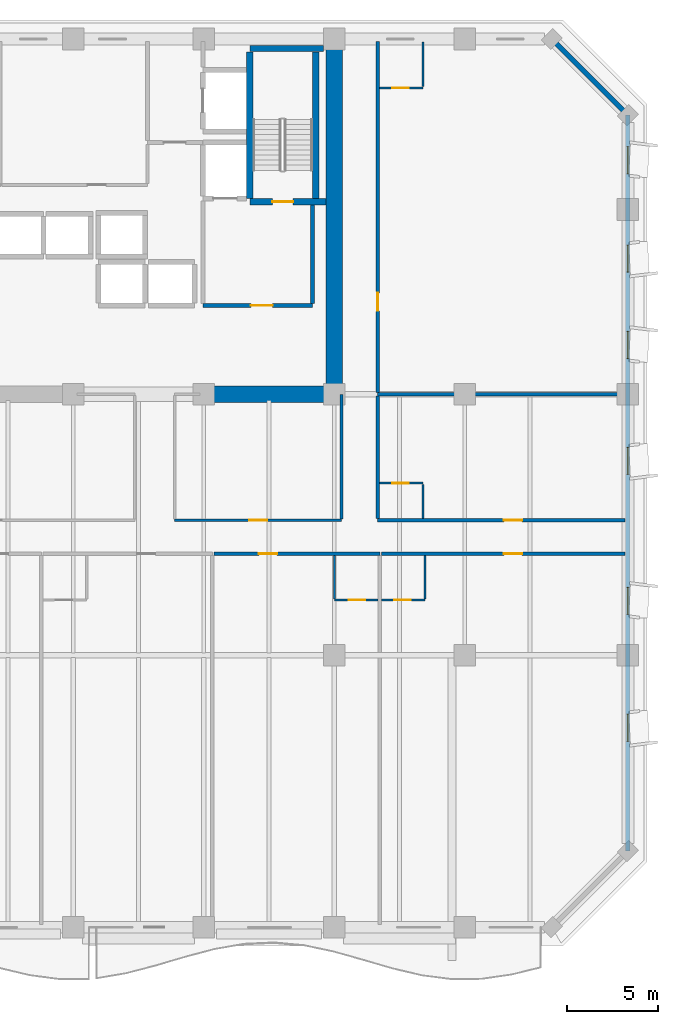
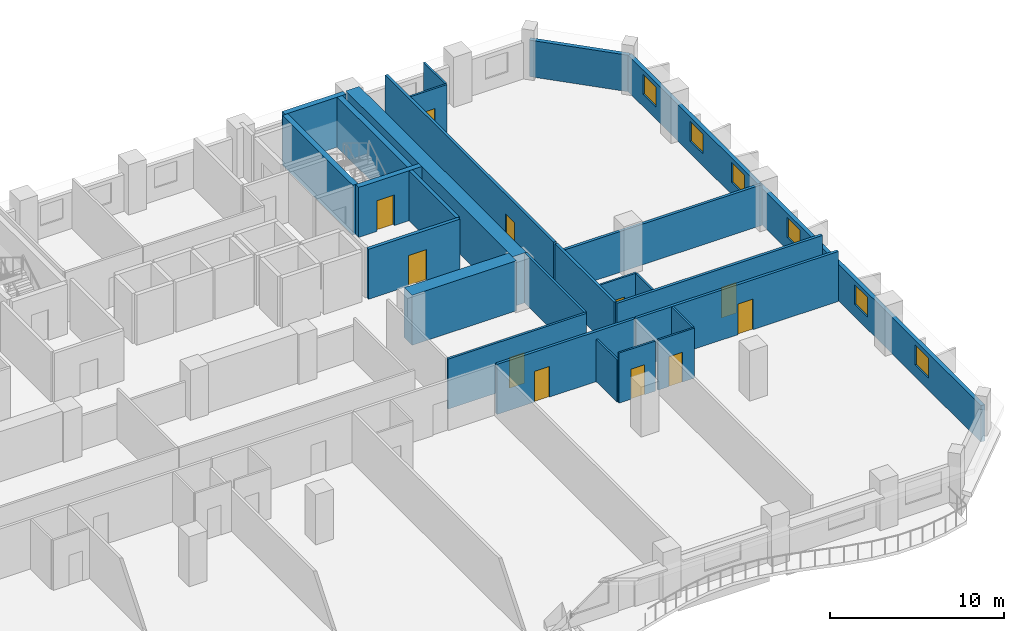
# One storey, part 9 of 14: 26 walls, 11 doors, 6 windows, 17 openings.
"""IFC4 building model written with IfcOpenShell, lengths in metres."""

from ifc_helpers import new_model, si_unit, direction, frame, frame_2d, origin, place, context, subcontext, project, spatial, rectangle, extrude, material, layer, layer_set, type_object, element, fill, save


model = new_model("IFC4")

# Units and contexts
model_context = context("Model", 3, precision=1e-05, world=origin(), true_north=direction((0.0, 1.0)))
body_context = subcontext(model_context, "Body", "Model", "MODEL_VIEW")
ifc_project = project(units=[si_unit("LENGTHUNIT", "METRE"), si_unit("AREAUNIT", "SQUARE_METRE"), si_unit("VOLUMEUNIT", "CUBIC_METRE"), si_unit("PLANEANGLEUNIT", "RADIAN"), si_unit("MASSUNIT", "GRAM", prefix="KILO")], contexts=[model_context])

# Site, building, storey
site_placement = place(None, origin())
site = spatial("IfcSite", under=ifc_project, at=site_placement, CompositionType="ELEMENT")
building_placement = place(site_placement, origin())
building = spatial("IfcBuilding", under=site, at=building_placement, Name="Kaelvorn Grand Hotel", CompositionType="ELEMENT")
storey_placement = place(building_placement, frame((0.0, 0.0, 89.300048828125)))
storey = spatial("IfcBuildingStorey", under=building, at=storey_placement, Name="L20", CompositionType="ELEMENT", Elevation=89.300048828125)

# Walls
ifc_material_1 = material(Name="Concrete C60/75", Category="concrete")
ifc_layer_1 = layer(ifc_material_1, 0.89990234375)
ifc_layer_set_1 = layer_set([ifc_layer_1], Name="Concrete C60/75")
wall_type_1 = type_object("IfcWallType", Name="WL-CORE-900-C60", PredefinedType="SHEAR", material=ifc_layer_set_1)
wall_1_placement = place(storey_placement, frame((67.800048828125, 29.39990234375, 0.0), z_axis=(0.0, 0.0, 1.0), x_axis=(0.0, 1.0, 0.0)))
element("IfcWall", 1, at=wall_1_placement, inside=storey, type_object=wall_type_1, Name="L20 Rear-Core East Shear Wall", PredefinedType="SHEAR", context=body_context, shape_type="SweptSolid", body=[
    extrude(rectangle(XDim=19.2001953125, YDim=0.89990234375, at=frame_2d((9.60009765625, 0.0))), origin(), (0.0, 0.0, 1.0), 3.510009765625),
])
wall_2_placement = place(storey_placement, frame((60.39990234375, 29.39990234375, 0.0), z_axis=(0.0, 0.0, 1.0), x_axis=(1.0, 0.0, 0.0)))
element("IfcWall", 2, at=wall_2_placement, inside=storey, type_object=wall_type_1, Name="L20 Rear-Core Coupled Shear Pier S4", PredefinedType="SHEAR", context=body_context, shape_type="SweptSolid", body=[
    extrude(rectangle(XDim=6.945068359375, YDim=0.89990234375, at=frame_2d((3.47265625, 0.0))), origin(), (0.0, 0.0, 1.0), 3.510009765625),
])

# Wall, openings, windows
ifc_material_2 = material(Name="Concrete C40/50", Category="concrete")
ifc_layer_2 = layer(ifc_material_2, 0.260009765625)
ifc_layer_set_2 = layer_set([ifc_layer_2], Name="Concrete C40/50")
wall_type_2 = type_object("IfcWallType", Name="WL-EXT-260-C40", PredefinedType="SOLIDWALL", material=ifc_layer_set_2)
wall_3_placement = place(storey_placement, frame((84.0, 4.199951171875, 0.0), z_axis=(0.0, 0.0, 1.0), x_axis=(0.0, 1.0, 0.0)))
wall_3 = element("IfcWall", 3, at=wall_3_placement, inside=storey, type_object=wall_type_2, Name="L20 Exterior Architectural Concrete Wall 03", PredefinedType="SOLIDWALL", context=body_context, shape_type="SweptSolid", body=[
    extrude(rectangle(XDim=40.60009765625, YDim=0.260009765625, at=frame_2d((20.300048828125, 0.0))), origin(), (0.0, 0.0, 1.0), 2.56005859375),
])
opening_1_placement = place(wall_3_placement, frame((6.050048828125, 0.0, 0.85009765625)))
opening_1 = element("IfcOpeningElement", 4, at=opening_1_placement, cuts=wall_3, Name="Opening W10", PredefinedType="OPENING", context=body_context, shape_type="SweptSolid", body=[
    extrude(rectangle(XDim=1.5, YDim=1.39990234375, at=frame_2d((0.75, 0.699951171875))), frame((0.0, 0.14013671875, 0.0), z_axis=(0.0, -1.0, 0.0), x_axis=(1.0, 0.0, 0.0)), (0.0, 0.0, 1.0), 0.280029296875),
])
opening_2_placement = place(wall_3_placement, frame((13.050048828125, 0.0, 0.85009765625)))
opening_2 = element("IfcOpeningElement", 5, at=opening_2_placement, cuts=wall_3, Name="Opening W10", PredefinedType="OPENING", context=body_context, shape_type="SweptSolid", body=[
    extrude(rectangle(XDim=1.5, YDim=1.39990234375, at=frame_2d((0.75, 0.699951171875))), frame((0.0, 0.14013671875, 0.0), z_axis=(0.0, -1.0, 0.0), x_axis=(1.0, 0.0, 0.0)), (0.0, 0.0, 1.0), 0.280029296875),
])
opening_3_placement = place(wall_3_placement, frame((20.77490234375, 0.0, 0.85009765625)))
opening_3 = element("IfcOpeningElement", 6, at=opening_3_placement, cuts=wall_3, Name="Opening W10", PredefinedType="OPENING", context=body_context, shape_type="SweptSolid", body=[
    extrude(rectangle(XDim=1.5, YDim=1.39990234375, at=frame_2d((0.75, 0.699951171875))), frame((0.0, 0.14013671875, 0.0), z_axis=(0.0, -1.0, 0.0), x_axis=(1.0, 0.0, 0.0)), (0.0, 0.0, 1.0), 0.280029296875),
])
opening_4_placement = place(wall_3_placement, frame((27.1650390625, 0.0, 0.85009765625)))
opening_4 = element("IfcOpeningElement", 7, at=opening_4_placement, cuts=wall_3, Name="Opening W10", PredefinedType="OPENING", context=body_context, shape_type="SweptSolid", body=[
    extrude(rectangle(XDim=1.5, YDim=1.39990234375, at=frame_2d((0.75, 0.699951171875))), frame((0.0, 0.14013671875, 0.0), z_axis=(0.0, -1.0, 0.0), x_axis=(1.0, 0.0, 0.0)), (0.0, 0.0, 1.0), 0.280029296875),
])
opening_5_placement = place(wall_3_placement, frame((31.93505859375, 0.0, 0.85009765625)))
opening_5 = element("IfcOpeningElement", 8, at=opening_5_placement, cuts=wall_3, Name="Opening W10", PredefinedType="OPENING", context=body_context, shape_type="SweptSolid", body=[
    extrude(rectangle(XDim=1.5, YDim=1.39990234375, at=frame_2d((0.75, 0.699951171875))), frame((0.0, 0.14013671875, 0.0), z_axis=(0.0, -1.0, 0.0), x_axis=(1.0, 0.0, 0.0)), (0.0, 0.0, 1.0), 0.280029296875),
])
opening_6_placement = place(wall_3_placement, frame((37.364990234375, 0.0, 0.85009765625)))
opening_6 = element("IfcOpeningElement", 9, at=opening_6_placement, cuts=wall_3, Name="Opening W10", PredefinedType="OPENING", context=body_context, shape_type="SweptSolid", body=[
    extrude(rectangle(XDim=1.5, YDim=1.39990234375, at=frame_2d((0.75, 0.699951171875))), frame((0.0, 0.14013671875, 0.0), z_axis=(0.0, -1.0, 0.0), x_axis=(1.0, 0.0, 0.0)), (0.0, 0.0, 1.0), 0.280029296875),
])
ifc_material_3 = material(Name="Laminated Low-E Glass", Category="glass")
window_type = type_object("IfcWindowType", Name="WIN-COR-1500x1400", PartitioningType="SINGLE_PANEL", PredefinedType="WINDOW", material=ifc_material_3)
window_1_placement = place(opening_1_placement, origin())
window_1 = element("IfcWindow", 10, at=window_1_placement, inside=storey, type_object=window_type, Name="L20 E Wing Tilted-Frame Ribbon Window E01", OverallHeight=1.39990234375, OverallWidth=1.5, PartitioningType="SINGLE_PANEL", PredefinedType="WINDOW", context=body_context, shape_type="SweptSolid", body=[
    extrude(rectangle(XDim=1.5, YDim=1.39990234375, at=frame_2d((0.75, 0.699951171875))), frame((0.0, 0.030029296875, 0.0), z_axis=(0.0, -1.0, 0.0), x_axis=(1.0, 0.0, 0.0)), (0.0, 0.0, 1.0), 0.06005859375),
])
fill(opening_1, window_1)
window_2_placement = place(opening_2_placement, origin())
window_2 = element("IfcWindow", 11, at=window_2_placement, inside=storey, type_object=window_type, Name="L20 E Wing Tilted-Frame Ribbon Window E02", OverallHeight=1.39990234375, OverallWidth=1.5, PartitioningType="SINGLE_PANEL", PredefinedType="WINDOW", context=body_context, shape_type="SweptSolid", body=[
    extrude(rectangle(XDim=1.5, YDim=1.39990234375, at=frame_2d((0.75, 0.699951171875))), frame((0.0, 0.030029296875, 0.0), z_axis=(0.0, -1.0, 0.0), x_axis=(1.0, 0.0, 0.0)), (0.0, 0.0, 1.0), 0.06005859375),
])
fill(opening_2, window_2)
window_3_placement = place(opening_3_placement, origin())
window_3 = element("IfcWindow", 12, at=window_3_placement, inside=storey, type_object=window_type, Name="L20 E Wing Tilted-Frame Ribbon Window E03", OverallHeight=1.39990234375, OverallWidth=1.5, PartitioningType="SINGLE_PANEL", PredefinedType="WINDOW", context=body_context, shape_type="SweptSolid", body=[
    extrude(rectangle(XDim=1.5, YDim=1.39990234375, at=frame_2d((0.75, 0.699951171875))), frame((0.0, 0.030029296875, 0.0), z_axis=(0.0, -1.0, 0.0), x_axis=(1.0, 0.0, 0.0)), (0.0, 0.0, 1.0), 0.06005859375),
])
fill(opening_3, window_3)
window_4_placement = place(opening_4_placement, origin())
window_4 = element("IfcWindow", 13, at=window_4_placement, inside=storey, type_object=window_type, Name="L20 E Wing Tilted-Frame Ribbon Window E04", OverallHeight=1.39990234375, OverallWidth=1.5, PartitioningType="SINGLE_PANEL", PredefinedType="WINDOW", context=body_context, shape_type="SweptSolid", body=[
    extrude(rectangle(XDim=1.5, YDim=1.39990234375, at=frame_2d((0.75, 0.699951171875))), frame((0.0, 0.030029296875, 0.0), z_axis=(0.0, -1.0, 0.0), x_axis=(1.0, 0.0, 0.0)), (0.0, 0.0, 1.0), 0.06005859375),
])
fill(opening_4, window_4)
window_5_placement = place(opening_5_placement, origin())
window_5 = element("IfcWindow", 14, at=window_5_placement, inside=storey, type_object=window_type, Name="L20 E Wing Tilted-Frame Ribbon Window E05", OverallHeight=1.39990234375, OverallWidth=1.5, PartitioningType="SINGLE_PANEL", PredefinedType="WINDOW", context=body_context, shape_type="SweptSolid", body=[
    extrude(rectangle(XDim=1.5, YDim=1.39990234375, at=frame_2d((0.75, 0.699951171875))), frame((0.0, 0.030029296875, 0.0), z_axis=(0.0, -1.0, 0.0), x_axis=(1.0, 0.0, 0.0)), (0.0, 0.0, 1.0), 0.06005859375),
])
fill(opening_5, window_5)
window_6_placement = place(opening_6_placement, origin())
window_6 = element("IfcWindow", 15, at=window_6_placement, inside=storey, type_object=window_type, Name="L20 E Wing Tilted-Frame Ribbon Window E06", OverallHeight=1.39990234375, OverallWidth=1.5, PartitioningType="SINGLE_PANEL", PredefinedType="WINDOW", context=body_context, shape_type="SweptSolid", body=[
    extrude(rectangle(XDim=1.5, YDim=1.39990234375, at=frame_2d((0.75, 0.699951171875))), frame((0.0, 0.030029296875, 0.0), z_axis=(0.0, -1.0, 0.0), x_axis=(1.0, 0.0, 0.0)), (0.0, 0.0, 1.0), 0.06005859375),
])
fill(opening_6, window_6)

# Wall
wall_4_placement = place(storey_placement, frame((84.0, 44.800048828125, 0.0), z_axis=(0.0, 0.0, 1.0), x_axis=(-0.707106781187, 0.707106781187, 0.0)))
element("IfcWall", 16, at=wall_4_placement, inside=storey, type_object=wall_type_2, Name="L20 Exterior Architectural Concrete Wall 04", PredefinedType="SOLIDWALL", context=body_context, shape_type="SweptSolid", body=[
    extrude(rectangle(XDim=5.939697265625, YDim=0.260009765625, at=frame_2d((2.9697265625, 0.0))), origin(), (0.0, 0.0, 1.0), 2.56005859375),
])

# Wall, opening, door
ifc_material_4 = material(Name="Moisture-Resistant Tile & Stud Board")
ifc_layer_3 = layer(ifc_material_4, 0.125)
ifc_layer_set_3 = layer_set([ifc_layer_3], Name="Moisture-Resistant Tile & Stud Board")
wall_type_3 = type_object("IfcWallType", Name="WL-PART-125-WET", PredefinedType="PARTITIONING", material=ifc_layer_set_3)
wall_5_placement = place(storey_placement, frame((67.81298828125, 18.050048828125, 0.0), z_axis=(0.0, 0.0, 1.0), x_axis=(1.0, 0.0, 0.0)))
wall_5 = element("IfcWall", 17, at=wall_5_placement, inside=storey, type_object=wall_type_3, Name="L20 En-suite Bathroom L20-07 S Partition", PredefinedType="PARTITIONING", context=body_context, shape_type="SweptSolid", body=[
    extrude(rectangle(XDim=2.405029296875, YDim=0.125, at=frame_2d((1.20263671875, 0.0))), origin(), (0.0, 0.0, 1.0), 3.510009765625),
])
opening_7_placement = place(wall_5_placement, frame((0.800048828125, 0.0, 0.0)))
opening_7 = element("IfcOpeningElement", 18, at=opening_7_placement, cuts=wall_5, Name="Opening DI4", PredefinedType="OPENING", context=body_context, shape_type="SweptSolid", body=[
    extrude(rectangle(XDim=0.89990234375, YDim=2.10009765625, at=frame_2d((0.449951171875, 1.050048828125))), frame((0.0, 0.072509765625, 0.0), z_axis=(0.0, -1.0, 0.0), x_axis=(1.0, 0.0, 0.0)), (0.0, 0.0, 1.0), 0.14501953125),
])
ifc_material_5 = material(Name="Timber Veneer Leaf", Category="wood")
door_type_1 = type_object("IfcDoorType", Name="DR-INT-BATH-900x2100", OperationType="NOTDEFINED", PredefinedType="DOOR", material=ifc_material_5)
door_1_placement = place(opening_7_placement, origin())
door_1 = element("IfcDoor", 19, at=door_1_placement, inside=storey, type_object=door_type_1, Name="L20 En-suite Bathroom L20-07 Door", OperationType="SINGLE_SWING_RIGHT", OverallHeight=2.10009765625, OverallWidth=0.89990234375, PredefinedType="DOOR", context=body_context, shape_type="SweptSolid", body=[
    extrude(rectangle(XDim=0.89990234375, YDim=2.10009765625, at=frame_2d((0.449951171875, 1.050048828125))), frame((0.0, 0.02490234375, 0.0), z_axis=(0.0, -1.0, 0.0), x_axis=(1.0, 0.0, 0.0)), (0.0, 0.0, 1.0), 0.050048828125),
])
fill(opening_7, door_1)

# Wall
wall_6_placement = place(storey_placement, frame((67.81298828125, 18.117431640625, 0.0), z_axis=(0.0, 0.0, 1.0), x_axis=(0.0, 1.0, 0.0)))
element("IfcWall", 20, at=wall_6_placement, inside=storey, type_object=wall_type_3, Name="L20 En-suite Bathroom L20-07 W Partition", PredefinedType="PARTITIONING", context=body_context, shape_type="SweptSolid", body=[
    extrude(rectangle(XDim=2.387451171875, YDim=0.125, at=frame_2d((1.19384765625, 0.0))), origin(), (0.0, 0.0, 1.0), 2.976806640625),
])

# Wall, opening, door
wall_7_placement = place(storey_placement, frame((70.408203125, 18.050048828125, 0.0), z_axis=(0.0, 0.0, 1.0), x_axis=(1.0, 0.0, 0.0)))
wall_7 = element("IfcWall", 21, at=wall_7_placement, inside=storey, type_object=wall_type_3, Name="L20 En-suite Bathroom L20-08 S Partition", PredefinedType="PARTITIONING", context=body_context, shape_type="SweptSolid", body=[
    extrude(rectangle(XDim=2.40478515625, YDim=0.125, at=frame_2d((1.202392578125, 0.0))), origin(), (0.0, 0.0, 1.0), 3.510009765625),
])
opening_8_placement = place(wall_7_placement, frame((0.705078125, 0.0, 0.0)))
opening_8 = element("IfcOpeningElement", 22, at=opening_8_placement, cuts=wall_7, Name="Opening DI4", PredefinedType="OPENING", context=body_context, shape_type="SweptSolid", body=[
    extrude(rectangle(XDim=0.89990234375, YDim=2.10009765625, at=frame_2d((0.449951171875, 1.050048828125))), frame((0.0, 0.072509765625, 0.0), z_axis=(0.0, -1.0, 0.0), x_axis=(1.0, 0.0, 0.0)), (0.0, 0.0, 1.0), 0.14501953125),
])
door_2_placement = place(opening_8_placement, origin())
door_2 = element("IfcDoor", 23, at=door_2_placement, inside=storey, type_object=door_type_1, Name="L20 En-suite Bathroom L20-08 Door", OperationType="SINGLE_SWING_RIGHT", OverallHeight=2.10009765625, OverallWidth=0.89990234375, PredefinedType="DOOR", context=body_context, shape_type="SweptSolid", body=[
    extrude(rectangle(XDim=0.89990234375, YDim=2.10009765625, at=frame_2d((0.449951171875, 1.050048828125))), frame((0.0, 0.02490234375, 0.0), z_axis=(0.0, -1.0, 0.0), x_axis=(1.0, 0.0, 0.0)), (0.0, 0.0, 1.0), 0.050048828125),
])
fill(opening_8, door_2)

# Wall
wall_8_placement = place(storey_placement, frame((72.81298828125, 18.117431640625, 0.0), z_axis=(0.0, 0.0, 1.0), x_axis=(0.0, 1.0, 0.0)))
element("IfcWall", 24, at=wall_8_placement, inside=storey, type_object=wall_type_3, Name="L20 En-suite Bathroom L20-08 E Partition", PredefinedType="PARTITIONING", context=body_context, shape_type="SweptSolid", body=[
    extrude(rectangle(XDim=2.387451171875, YDim=0.125, at=frame_2d((1.19384765625, 0.0))), origin(), (0.0, 0.0, 1.0), 3.510009765625),
])

# Wall, opening, door
wall_9_placement = place(storey_placement, frame((70.294921875, 24.5, 0.0), z_axis=(0.0, 0.0, 1.0), x_axis=(1.0, 0.0, 0.0)))
wall_9 = element("IfcWall", 25, at=wall_9_placement, inside=storey, type_object=wall_type_3, Name="L20 En-suite Bathroom L20-10 N Partition", PredefinedType="PARTITIONING", context=body_context, shape_type="SweptSolid", body=[
    extrude(rectangle(XDim=2.405029296875, YDim=0.125, at=frame_2d((1.20263671875, 0.0))), origin(), (0.0, 0.0, 1.0), 3.510009765625),
])
opening_9_placement = place(wall_9_placement, frame((0.705078125, 0.0, 0.0)))
opening_9 = element("IfcOpeningElement", 26, at=opening_9_placement, cuts=wall_9, Name="Opening DI4", PredefinedType="OPENING", context=body_context, shape_type="SweptSolid", body=[
    extrude(rectangle(XDim=0.89990234375, YDim=2.10009765625, at=frame_2d((0.449951171875, 1.050048828125))), frame((0.0, 0.072509765625, 0.0), z_axis=(0.0, -1.0, 0.0), x_axis=(1.0, 0.0, 0.0)), (0.0, 0.0, 1.0), 0.14501953125),
])
door_3_placement = place(opening_9_placement, origin())
door_3 = element("IfcDoor", 27, at=door_3_placement, inside=storey, type_object=door_type_1, Name="L20 En-suite Bathroom L20-10 Door", OperationType="SINGLE_SWING_RIGHT", OverallHeight=2.10009765625, OverallWidth=0.89990234375, PredefinedType="DOOR", context=body_context, shape_type="SweptSolid", body=[
    extrude(rectangle(XDim=0.89990234375, YDim=2.10009765625, at=frame_2d((0.449951171875, 1.050048828125))), frame((0.0, 0.02490234375, 0.0), z_axis=(0.0, -1.0, 0.0), x_axis=(1.0, 0.0, 0.0)), (0.0, 0.0, 1.0), 0.050048828125),
])
fill(opening_9, door_3)

# Wall
wall_10_placement = place(storey_placement, frame((72.699951171875, 22.544921875, 0.0), z_axis=(0.0, 0.0, 1.0), x_axis=(0.0, 1.0, 0.0)))
element("IfcWall", 28, at=wall_10_placement, inside=storey, type_object=wall_type_3, Name="L20 En-suite Bathroom L20-10 E Partition", PredefinedType="PARTITIONING", context=body_context, shape_type="SweptSolid", body=[
    extrude(rectangle(XDim=1.8876953125, YDim=0.125, at=frame_2d((0.94384765625, 0.0))), origin(), (0.0, 0.0, 1.0), 3.510009765625),
])

# Wall, opening, door
wall_11_placement = place(storey_placement, frame((70.294921875, 46.300048828125, 0.0), z_axis=(0.0, 0.0, 1.0), x_axis=(1.0, 0.0, 0.0)))
wall_11 = element("IfcWall", 29, at=wall_11_placement, inside=storey, type_object=wall_type_3, Name="L20 En-suite Bathroom L20-11 S Partition", PredefinedType="PARTITIONING", context=body_context, shape_type="SweptSolid", body=[
    extrude(rectangle(XDim=2.405029296875, YDim=0.125, at=frame_2d((1.20263671875, 0.0))), origin(), (0.0, 0.0, 1.0), 3.510009765625),
])
opening_10_placement = place(wall_11_placement, frame((0.705078125, 0.0, 0.0)))
opening_10 = element("IfcOpeningElement", 30, at=opening_10_placement, cuts=wall_11, Name="Opening DI4", PredefinedType="OPENING", context=body_context, shape_type="SweptSolid", body=[
    extrude(rectangle(XDim=0.89990234375, YDim=2.10009765625, at=frame_2d((0.449951171875, 1.050048828125))), frame((0.0, 0.072509765625, 0.0), z_axis=(0.0, -1.0, 0.0), x_axis=(1.0, 0.0, 0.0)), (0.0, 0.0, 1.0), 0.14501953125),
])
door_4_placement = place(opening_10_placement, origin())
door_4 = element("IfcDoor", 31, at=door_4_placement, inside=storey, type_object=door_type_1, Name="L20 En-suite Bathroom L20-11 Door", OperationType="SINGLE_SWING_RIGHT", OverallHeight=2.10009765625, OverallWidth=0.89990234375, PredefinedType="DOOR", context=body_context, shape_type="SweptSolid", body=[
    extrude(rectangle(XDim=0.89990234375, YDim=2.10009765625, at=frame_2d((0.449951171875, 1.050048828125))), frame((0.0, 0.02490234375, 0.0), z_axis=(0.0, -1.0, 0.0), x_axis=(1.0, 0.0, 0.0)), (0.0, 0.0, 1.0), 0.050048828125),
])
fill(opening_10, door_4)

# Wall
wall_12_placement = place(storey_placement, frame((72.699951171875, 46.367431640625, 0.0), z_axis=(0.0, 0.0, 1.0), x_axis=(0.0, 1.0, 0.0)))
element("IfcWall", 32, at=wall_12_placement, inside=storey, type_object=wall_type_3, Name="L20 En-suite Bathroom L20-11 E Partition", PredefinedType="PARTITIONING", context=body_context, shape_type="SweptSolid", body=[
    extrude(rectangle(XDim=2.482666015625, YDim=0.125, at=frame_2d((1.2412109375, 0.0))), origin(), (0.0, 0.0, 1.0), 3.510009765625),
])

# Wall, opening, door
ifc_material_6 = material(Name="Acoustic Gypsum & Stud Partition")
ifc_layer_4 = layer(ifc_material_6, 0.14990234375)
ifc_layer_set_4 = layer_set([ifc_layer_4], Name="Acoustic Gypsum & Stud Partition")
wall_type_4 = type_object("IfcWallType", Name="WL-PART-150-EI60", PredefinedType="PARTITIONING", material=ifc_layer_set_4)
wall_13_placement = place(storey_placement, frame((59.0, 22.449951171875, 0.0), z_axis=(0.0, 0.0, 1.0), x_axis=(1.0, 0.0, 0.0)))
wall_13 = element("IfcWall", 33, at=wall_13_placement, inside=storey, type_object=wall_type_4, Name="L20 VIP Dining Restaurant S Partition", PredefinedType="PARTITIONING", context=body_context, shape_type="SweptSolid", body=[
    extrude(rectangle(XDim=9.199951171875, YDim=0.14990234375, at=frame_2d((4.60009765625, 0.0))), origin(), (0.0, 0.0, 1.0), 3.510009765625),
])
opening_11_placement = place(wall_13_placement, frame((4.10009765625, 0.0, 0.0)))
opening_11 = element("IfcOpeningElement", 34, at=opening_11_placement, cuts=wall_13, Name="Opening DI3", PredefinedType="OPENING", context=body_context, shape_type="SweptSolid", body=[
    extrude(rectangle(XDim=1.0, YDim=2.14990234375, at=frame_2d((0.5, 1.074951171875))), frame((0.0, 0.0849609375, 0.0), z_axis=(0.0, -1.0, 0.0), x_axis=(1.0, 0.0, 0.0)), (0.0, 0.0, 1.0), 0.169921875),
])
ifc_material_7 = material(Name="Timber Veneer Fire Leaf", Category="wood")
door_type_2 = type_object("IfcDoorType", Name="DR-INT-GUEST-1000x2150", OperationType="NOTDEFINED", PredefinedType="DOOR", material=ifc_material_7)
door_5_placement = place(opening_11_placement, origin())
door_5 = element("IfcDoor", 35, at=door_5_placement, inside=storey, type_object=door_type_2, Name="L20 VIP Dining Restaurant Door", OperationType="SINGLE_SWING_RIGHT", OverallHeight=2.14990234375, OverallWidth=1.0, PredefinedType="DOOR", context=body_context, shape_type="SweptSolid", body=[
    extrude(rectangle(XDim=1.0, YDim=2.14990234375, at=frame_2d((0.5, 1.074951171875))), frame((0.0, 0.02490234375, 0.0), z_axis=(0.0, -1.0, 0.0), x_axis=(1.0, 0.0, 0.0)), (0.0, 0.0, 1.0), 0.050048828125),
])
fill(opening_11, door_5)

# Wall
wall_14_placement = place(storey_placement, frame((68.199951171875, 22.530029296875, 0.0), z_axis=(0.0, 0.0, 1.0), x_axis=(0.0, 1.0, 0.0)))
element("IfcWall", 36, at=wall_14_placement, inside=storey, type_object=wall_type_4, Name="L20 VIP Dining Restaurant E Partition", PredefinedType="PARTITIONING", context=body_context, shape_type="SweptSolid", body=[
    extrude(rectangle(XDim=6.85986328125, YDim=0.14990234375, at=frame_2d((3.429931640625, 0.0))), origin(), (0.0, 0.0, 1.0), 3.510009765625),
])

# Wall, opening, door
ifc_layer_5 = layer(ifc_material_6, 0.179931640625)
ifc_layer_set_5 = layer_set([ifc_layer_5], Name="Acoustic Gypsum & Stud Partition")
wall_type_5 = type_object("IfcWallType", Name="WL-PART-180-EI60", PredefinedType="PARTITIONING", material=ifc_layer_set_5)
wall_15_placement = place(storey_placement, frame((61.171142578125, 20.60009765625, 0.0), z_axis=(0.0, 0.0, 1.0), x_axis=(1.0, 0.0, 0.0)))
wall_15 = element("IfcWall", 37, at=wall_15_placement, inside=storey, type_object=wall_type_5, Name="L20 Deluxe Panoramic Suite L20-07 N Partition", PredefinedType="PARTITIONING", context=body_context, shape_type="SweptSolid", body=[
    extrude(rectangle(XDim=9.141845703125, YDim=0.179931640625, at=frame_2d((4.57080078125, 0.0))), origin(), (0.0, 0.0, 1.0), 3.510009765625),
])
opening_12_placement = place(wall_15_placement, frame((2.475341796875, 0.0, 0.0)))
opening_12 = element("IfcOpeningElement", 38, at=opening_12_placement, cuts=wall_15, Name="Opening DI3", PredefinedType="OPENING", context=body_context, shape_type="SweptSolid", body=[
    extrude(rectangle(XDim=1.0, YDim=2.14990234375, at=frame_2d((0.5, 1.074951171875))), frame((0.0, 0.10009765625, 0.0), z_axis=(0.0, -1.0, 0.0), x_axis=(1.0, 0.0, 0.0)), (0.0, 0.0, 1.0), 0.199951171875),
])
door_6_placement = place(opening_12_placement, origin())
door_6 = element("IfcDoor", 39, at=door_6_placement, inside=storey, type_object=door_type_2, Name="L20 Deluxe Panoramic Suite L20-07 Door", OperationType="SINGLE_SWING_LEFT", OverallHeight=2.14990234375, OverallWidth=1.0, PredefinedType="DOOR", context=body_context, shape_type="SweptSolid", body=[
    extrude(rectangle(XDim=1.0, YDim=2.14990234375, at=frame_2d((0.5, 1.074951171875))), frame((0.0, 0.02490234375, 0.0), z_axis=(0.0, -1.0, 0.0), x_axis=(1.0, 0.0, 0.0)), (0.0, 0.0, 1.0), 0.050048828125),
])
fill(opening_12, door_6)

wall_16_placement = place(storey_placement, frame((70.408203125, 20.60009765625, 0.0), z_axis=(0.0, 0.0, 1.0), x_axis=(1.0, 0.0, 0.0)))
wall_16 = element("IfcWall", 40, at=wall_16_placement, inside=storey, type_object=wall_type_5, Name="L20 Presidential Sky Suite L20-08 N Partition", PredefinedType="PARTITIONING", context=body_context, shape_type="SweptSolid", body=[
    extrude(rectangle(XDim=13.44189453125, YDim=0.179931640625, at=frame_2d((6.720947265625, 0.0))), origin(), (0.0, 0.0, 1.0), 3.510009765625),
])
opening_13_placement = place(wall_16_placement, frame((6.7568359375, 0.0, 0.0)))
opening_13 = element("IfcOpeningElement", 41, at=opening_13_placement, cuts=wall_16, Name="Opening DI3", PredefinedType="OPENING", context=body_context, shape_type="SweptSolid", body=[
    extrude(rectangle(XDim=1.0, YDim=2.14990234375, at=frame_2d((0.5, 1.074951171875))), frame((0.0, 0.10009765625, 0.0), z_axis=(0.0, -1.0, 0.0), x_axis=(1.0, 0.0, 0.0)), (0.0, 0.0, 1.0), 0.199951171875),
])
door_7_placement = place(opening_13_placement, origin())
door_7 = element("IfcDoor", 42, at=door_7_placement, inside=storey, type_object=door_type_2, Name="L20 Presidential Sky Suite L20-08 Door", OperationType="SINGLE_SWING_LEFT", OverallHeight=2.14990234375, OverallWidth=1.0, PredefinedType="DOOR", context=body_context, shape_type="SweptSolid", body=[
    extrude(rectangle(XDim=1.0, YDim=2.14990234375, at=frame_2d((0.5, 1.074951171875))), frame((0.0, 0.02490234375, 0.0), z_axis=(0.0, -1.0, 0.0), x_axis=(1.0, 0.0, 0.0)), (0.0, 0.0, 1.0), 0.050048828125),
])
fill(opening_13, door_7)

wall_17_placement = place(storey_placement, frame((70.199951171875, 22.449951171875, 0.0), z_axis=(0.0, 0.0, 1.0), x_axis=(1.0, 0.0, 0.0)))
wall_17 = element("IfcWall", 43, at=wall_17_placement, inside=storey, type_object=wall_type_5, Name="L20 East Chamfer Corner Suite L20-10 S Partition", PredefinedType="PARTITIONING", context=body_context, shape_type="SweptSolid", body=[
    extrude(rectangle(XDim=13.650146484375, YDim=0.179931640625, at=frame_2d((6.8251953125, 0.0))), origin(), (0.0, 0.0, 1.0), 3.510009765625),
])
opening_14_placement = place(wall_17_placement, frame((6.965087890625, 0.0, 0.0)))
opening_14 = element("IfcOpeningElement", 44, at=opening_14_placement, cuts=wall_17, Name="Opening DI3", PredefinedType="OPENING", context=body_context, shape_type="SweptSolid", body=[
    extrude(rectangle(XDim=1.0, YDim=2.14990234375, at=frame_2d((0.5, 1.074951171875))), frame((0.0, 0.10009765625, 0.0), z_axis=(0.0, -1.0, 0.0), x_axis=(1.0, 0.0, 0.0)), (0.0, 0.0, 1.0), 0.199951171875),
])
door_8_placement = place(opening_14_placement, origin())
door_8 = element("IfcDoor", 45, at=door_8_placement, inside=storey, type_object=door_type_2, Name="L20 East Chamfer Corner Suite L20-10 Door", OperationType="SINGLE_SWING_LEFT", OverallHeight=2.14990234375, OverallWidth=1.0, PredefinedType="DOOR", context=body_context, shape_type="SweptSolid", body=[
    extrude(rectangle(XDim=1.0, YDim=2.14990234375, at=frame_2d((0.5, 1.074951171875))), frame((0.0, 0.02490234375, 0.0), z_axis=(0.0, -1.0, 0.0), x_axis=(1.0, 0.0, 0.0)), (0.0, 0.0, 1.0), 0.050048828125),
])
fill(opening_14, door_8)

# Walls
wall_18_placement = place(storey_placement, frame((70.199951171875, 29.39990234375, 0.0), z_axis=(0.0, 0.0, 1.0), x_axis=(1.0, 0.0, 0.0)))
element("IfcWall", 46, at=wall_18_placement, inside=storey, type_object=wall_type_5, Name="L20 East Chamfer Corner Suite L20-10 N Partition", PredefinedType="PARTITIONING", context=body_context, shape_type="SweptSolid", body=[
    extrude(rectangle(XDim=13.650146484375, YDim=0.179931640625, at=frame_2d((6.8251953125, 0.0))), origin(), (0.0, 0.0, 1.0), 2.85986328125),
])
wall_19_placement = place(storey_placement, frame((70.199951171875, 22.544921875, 0.0), z_axis=(0.0, 0.0, 1.0), x_axis=(0.0, 1.0, 0.0)))
element("IfcWall", 47, at=wall_19_placement, inside=storey, type_object=wall_type_5, Name="L20 East Chamfer Corner Suite L20-10 W Partition", PredefinedType="PARTITIONING", context=body_context, shape_type="SweptSolid", body=[
    extrude(rectangle(XDim=6.760009765625, YDim=0.179931640625, at=frame_2d((3.3798828125, 0.0))), origin(), (0.0, 0.0, 1.0), 3.510009765625),
])

# Wall, opening, door
wall_20_placement = place(storey_placement, frame((70.199951171875, 29.4951171875, 0.0), z_axis=(0.0, 0.0, 1.0), x_axis=(0.0, 1.0, 0.0)))
wall_20 = element("IfcWall", 48, at=wall_20_placement, inside=storey, type_object=wall_type_5, Name="L20 Presidential Sky Suite L20-11 W Partition", PredefinedType="PARTITIONING", context=body_context, shape_type="SweptSolid", body=[
    extrude(rectangle(XDim=19.35498046875, YDim=0.179931640625, at=frame_2d((9.677490234375, 0.0))), origin(), (0.0, 0.0, 1.0), 3.510009765625),
])
opening_15_placement = place(wall_20_placement, frame((4.5048828125, 0.0, 0.0)))
opening_15 = element("IfcOpeningElement", 49, at=opening_15_placement, cuts=wall_20, Name="Opening DI3", PredefinedType="OPENING", context=body_context, shape_type="SweptSolid", body=[
    extrude(rectangle(XDim=1.0, YDim=2.14990234375, at=frame_2d((0.5, 1.074951171875))), frame((0.0, 0.10009765625, 0.0), z_axis=(0.0, -1.0, 0.0), x_axis=(1.0, 0.0, 0.0)), (0.0, 0.0, 1.0), 0.199951171875),
])
door_9_placement = place(opening_15_placement, origin())
door_9 = element("IfcDoor", 50, at=door_9_placement, inside=storey, type_object=door_type_2, Name="L20 Presidential Sky Suite L20-11 Door", OperationType="SINGLE_SWING_LEFT", OverallHeight=2.14990234375, OverallWidth=1.0, PredefinedType="DOOR", context=body_context, shape_type="SweptSolid", body=[
    extrude(rectangle(XDim=1.0, YDim=2.14990234375, at=frame_2d((0.5, 1.074951171875))), frame((0.0, 0.02490234375, 0.0), z_axis=(0.0, -1.0, 0.0), x_axis=(1.0, 0.0, 0.0)), (0.0, 0.0, 1.0), 0.050048828125),
])
fill(opening_15, door_9)

ifc_layer_6 = layer(ifc_material_2, 0.219970703125)
ifc_layer_set_6 = layer_set([ifc_layer_6], Name="Concrete C40/50")
wall_type_6 = type_object("IfcWallType", Name="WL-PART-220-EI120", PredefinedType="PARTITIONING", material=ifc_layer_set_6)
wall_21_placement = place(storey_placement, frame((60.550048828125, 34.300048828125, 0.0), z_axis=(0.0, 0.0, 1.0), x_axis=(1.0, 0.0, 0.0)))
wall_21 = element("IfcWall", 51, at=wall_21_placement, inside=storey, type_object=wall_type_6, Name="L20 Firefighting Lift Lobby 2 S Partition", PredefinedType="PARTITIONING", context=body_context, shape_type="SweptSolid", body=[
    extrude(rectangle(XDim=6.050048828125, YDim=0.219970703125, at=frame_2d((3.02490234375, 0.0))), origin(), (0.0, 0.0, 1.0), 3.510009765625),
])
opening_16_placement = place(wall_21_placement, frame((2.64990234375, 0.0, 0.0)))
opening_16 = element("IfcOpeningElement", 52, at=opening_16_placement, cuts=wall_21, Name="Opening DI2", PredefinedType="OPENING", context=body_context, shape_type="SweptSolid", body=[
    extrude(rectangle(XDim=1.199951171875, YDim=2.14990234375, at=frame_2d((0.60009765625, 1.074951171875))), frame((0.0, 0.1201171875, 0.0), z_axis=(0.0, -1.0, 0.0), x_axis=(1.0, 0.0, 0.0)), (0.0, 0.0, 1.0), 0.239990234375),
])
door_type_3 = type_object("IfcDoorType", Name="DR-INT-FFLOB-1200x2150", OperationType="NOTDEFINED", PredefinedType="DOOR", material=ifc_material_7)
door_10_placement = place(opening_16_placement, origin())
door_10 = element("IfcDoor", 53, at=door_10_placement, inside=storey, type_object=door_type_3, Name="L20 Firefighting Lift Lobby 2 Door", OperationType="SINGLE_SWING_RIGHT", OverallHeight=2.14990234375, OverallWidth=1.199951171875, PredefinedType="DOOR", context=body_context, shape_type="SweptSolid", body=[
    extrude(rectangle(XDim=1.199951171875, YDim=2.14990234375, at=frame_2d((0.60009765625, 1.074951171875))), frame((0.0, 0.02490234375, 0.0), z_axis=(0.0, -1.0, 0.0), x_axis=(1.0, 0.0, 0.0)), (0.0, 0.0, 1.0), 0.050048828125),
])
fill(opening_16, door_10)

# Wall
wall_22_placement = place(storey_placement, frame((66.60009765625, 34.4150390625, 0.0), z_axis=(0.0, 0.0, 1.0), x_axis=(0.0, 1.0, 0.0)))
element("IfcWall", 54, at=wall_22_placement, inside=storey, type_object=wall_type_6, Name="L20 Firefighting Lift Lobby 2 E Partition", PredefinedType="PARTITIONING", context=body_context, shape_type="SweptSolid", body=[
    extrude(rectangle(XDim=5.429931640625, YDim=0.219970703125, at=frame_2d((2.71484375, 0.0))), origin(), (0.0, 0.0, 1.0), 3.510009765625),
])

# Wall, opening, door
ifc_layer_7 = layer(ifc_material_1, 0.35009765625)
ifc_layer_set_7 = layer_set([ifc_layer_7], Name="Concrete C60/75")
wall_type_7 = type_object("IfcWallType", Name="WL-SHAFT-350-C60", PredefinedType="SHEAR", material=ifc_layer_set_7)
wall_23_placement = place(storey_placement, frame((63.14501953125, 40.02490234375, 0.0), z_axis=(0.0, 0.0, 1.0), x_axis=(1.0, 0.0, 0.0)))
wall_23 = element("IfcWall", 55, at=wall_23_placement, inside=storey, type_object=wall_type_7, Name="L20 ST3 Stair Shaft South Wall", PredefinedType="SHEAR", context=body_context, shape_type="SweptSolid", body=[
    extrude(rectangle(XDim=4.199951171875, YDim=0.35009765625, at=frame_2d((2.10009765625, 0.0))), origin(), (0.0, 0.0, 1.0), 3.510009765625),
])
opening_17_placement = place(wall_23_placement, frame((1.239990234375, 0.0, 0.0)))
opening_17 = element("IfcOpeningElement", 56, at=opening_17_placement, cuts=wall_23, Name="Opening DI1", PredefinedType="OPENING", context=body_context, shape_type="SweptSolid", body=[
    extrude(rectangle(XDim=1.14990234375, YDim=2.14990234375, at=frame_2d((0.574951171875, 1.074951171875))), frame((0.0, 0.18505859375, 0.0), z_axis=(0.0, -1.0, 0.0), x_axis=(1.0, 0.0, 0.0)), (0.0, 0.0, 1.0), 0.3701171875),
])
door_type_4 = type_object("IfcDoorType", Name="DR-INT-STAIR-1150x2150", OperationType="NOTDEFINED", PredefinedType="DOOR", material=ifc_material_7)
door_11_placement = place(opening_17_placement, origin())
door_11 = element("IfcDoor", 57, at=door_11_placement, inside=storey, type_object=door_type_4, Name="L20 ST3 Exit Stair Fire Door", OperationType="SINGLE_SWING_RIGHT", OverallHeight=2.14990234375, OverallWidth=1.14990234375, PredefinedType="DOOR", context=body_context, shape_type="SweptSolid", body=[
    extrude(rectangle(XDim=1.14990234375, YDim=2.14990234375, at=frame_2d((0.574951171875, 1.074951171875))), frame((0.0, 0.02490234375, 0.0), z_axis=(0.0, -1.0, 0.0), x_axis=(1.0, 0.0, 0.0)), (0.0, 0.0, 1.0), 0.050048828125),
])
fill(opening_17, door_11)

# Walls
wall_24_placement = place(storey_placement, frame((63.14501953125, 48.47509765625, 0.0), z_axis=(0.0, 0.0, 1.0), x_axis=(1.0, 0.0, 0.0)))
element("IfcWall", 58, at=wall_24_placement, inside=storey, type_object=wall_type_7, Name="L20 ST3 Stair Shaft North Wall", PredefinedType="SHEAR", context=body_context, shape_type="SweptSolid", body=[
    extrude(rectangle(XDim=4.050048828125, YDim=0.35009765625, at=frame_2d((2.02490234375, 0.0))), origin(), (0.0, 0.0, 1.0), 3.510009765625),
])
for number, where, z_axis, x_axis, name in (
    (59, (63.14501953125, 40.205078125, 0.0), (0.0, 0.0, 1.0), (0.0, 1.0, 0.0), "L20 ST3 Stair Shaft West Wall"),
    (60, (66.77490234375, 40.205078125, 0.0), (0.0, 0.0, 1.0), (0.0, 1.0, 0.0), "L20 ST3 Stair Shaft East Wall"),
):
    element("IfcWall", number, at=place(storey_placement, frame(where, z_axis=z_axis, x_axis=x_axis)), inside=storey, type_object=wall_type_7, Name=name, PredefinedType="SHEAR", context=body_context, shape_type="SweptSolid", body=[
        extrude(rectangle(XDim=8.08984375, YDim=0.35009765625, at=frame_2d((4.044921875, 0.0))), origin(), (0.0, 0.0, 1.0), 3.510009765625),
    ])

save(model, "model.ifc")
